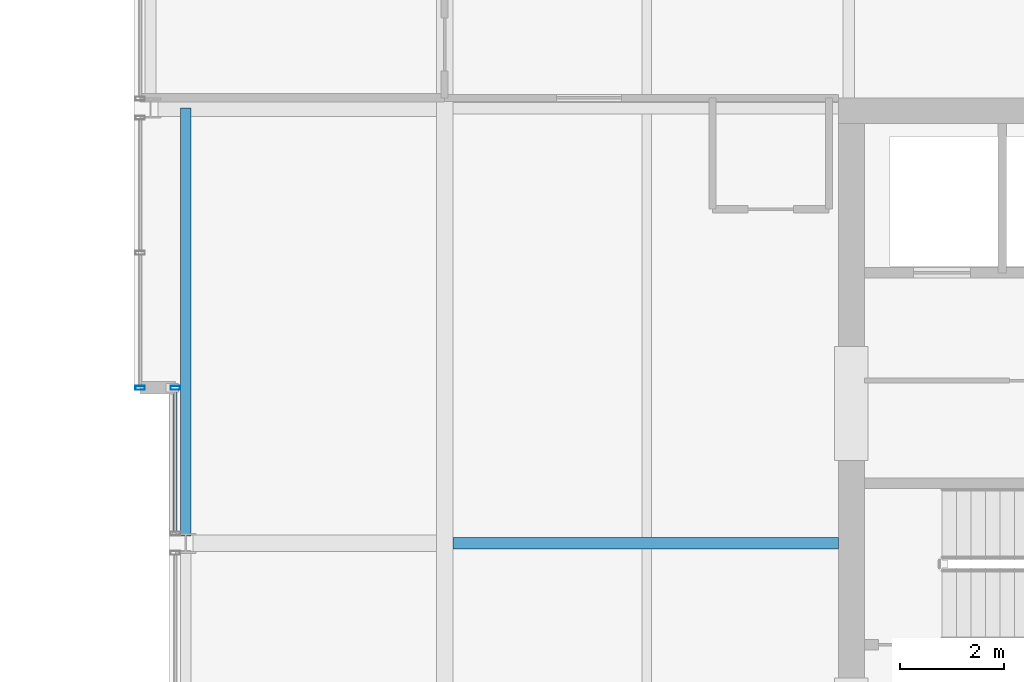
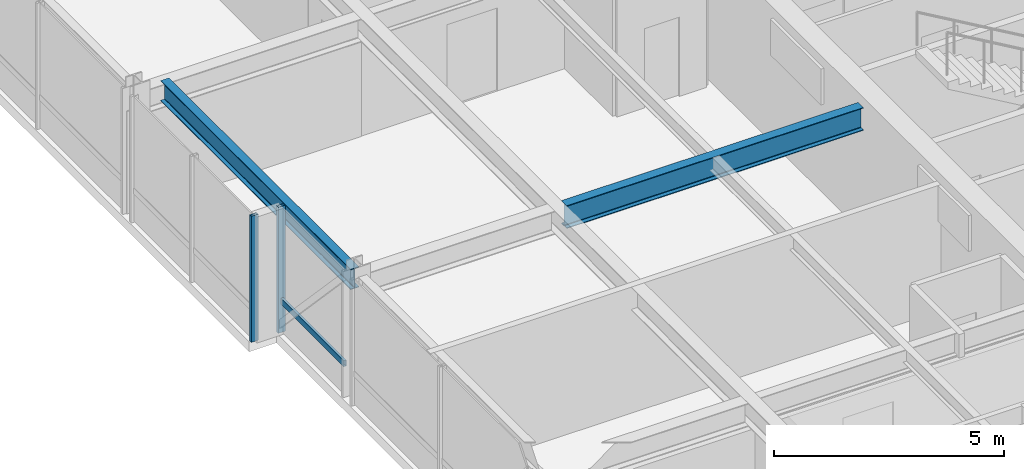
# One storey, part 10 of 32: 3 members, 2 beams, 2 elements without a shape of their own.
"""IFC4 building model written with IfcOpenShell, lengths in metres."""

import ifcopenshell
import ifcopenshell.guid

model = None  # the IFC model being written
_history = None  # IfcOwnerHistory: only IFC2X3 demands one
_inside = {}  # id of a spatial element -> (the spatial element, [elements in it])
_under = {}  # id of a project, library or spatial element -> (it, [spatial elements below it])
_declared = {}  # id of a project -> (the project, [libraries it declares])
_typed = {}  # id of a type object -> (the type object, [elements of that type])
_made_of = {}  # id of a material, layer set ... -> (it, [elements and type objects made of it])


def new_model(schema):
    """Start an empty IFC model of exactly this schema.

    Asked for "IFC4X3", IfcOpenShell would pick the latest addendum, in which some entities
    have other attributes; the version numbers below select the first issue.
    IFC2X3 requires an IfcOwnerHistory on every rooted entity: one is made here for all.
    """
    global model, _history
    if schema == "IFC4X3":
        model = ifcopenshell.file(schema_version=(4, 3, 0, 0))
    else:
        model = ifcopenshell.file(schema=schema)
    _inside.clear()
    _under.clear()
    _declared.clear()
    _typed.clear()
    _made_of.clear()
    _history = None
    if model.schema == "IFC2X3":
        org = make("IfcOrganization", Name="unknown")
        user = make(
            "IfcPersonAndOrganization",
            ThePerson=make("IfcPerson", FamilyName="unknown"),
            TheOrganization=org,
        )
        app = make(
            "IfcApplication",
            ApplicationDeveloper=org,
            Version="unknown",
            ApplicationFullName="unknown",
            ApplicationIdentifier="unknown",
        )
        _history = make(
            "IfcOwnerHistory",
            OwningUser=user,
            OwningApplication=app,
            ChangeAction="ADDED",
            CreationDate=0,
        )
    return model


def make(cls, **values):
    """One entity of the class cls with the attributes given. An attribute that is None is left unset."""
    return model.create_entity(
        cls, **{name: value for name, value in values.items() if value is not None}
    )


def rooted(cls, **values):
    """An entity with a GlobalId (a new one), such as an element, a storey or a relation."""
    return make(cls, GlobalId=ifcopenshell.guid.new(), OwnerHistory=_history, **values)


def si_unit(unit_type, name, prefix=None):
    """IfcSIUnit, for example si_unit("LENGTHUNIT", "METRE", prefix="MILLI")."""
    return make("IfcSIUnit", UnitType=unit_type, Prefix=prefix, Name=name)


def assignment(units):
    """IfcUnitAssignment: the units of a project."""
    return None if units is None else make("IfcUnitAssignment", Units=units)


def point(xyz):
    """IfcCartesianPoint."""
    return None if xyz is None else make("IfcCartesianPoint", Coordinates=xyz)


def direction(xyz):
    """IfcDirection."""
    return None if xyz is None else make("IfcDirection", DirectionRatios=xyz)


def frame(location, z_axis=None, x_axis=None):
    """IfcAxis2Placement3D, a coordinate frame: its origin and axes. An axis left out is left unset."""
    return make(
        "IfcAxis2Placement3D",
        Location=point(location),
        Axis=direction(z_axis),
        RefDirection=direction(x_axis),
    )


def frame_2d(location, x_axis=None):
    """IfcAxis2Placement2D, a coordinate frame in the plane: its origin and x axis."""
    return make(
        "IfcAxis2Placement2D", Location=point(location), RefDirection=direction(x_axis)
    )


def origin():
    """The frame at (0, 0, 0) with its axes left unset."""
    return frame((0.0, 0.0, 0.0))


def origin_2d():
    """The frame at (0, 0) in the plane with its x axis left unset."""
    return frame_2d((0.0, 0.0))


def place(relative_to, where):
    """IfcLocalPlacement: puts the frame where relative to a parent placement (None: the world)."""
    return make(
        "IfcLocalPlacement", PlacementRelTo=relative_to, RelativePlacement=where
    )


def context(
    kind, dimensions, precision=None, world=None, true_north=None, identifier=None
):
    """IfcGeometricRepresentationContext, for example the 3D "Model" context."""
    return make(
        "IfcGeometricRepresentationContext",
        ContextIdentifier=identifier,
        ContextType=kind,
        CoordinateSpaceDimension=dimensions,
        Precision=precision,
        WorldCoordinateSystem=world,
        TrueNorth=true_north,
    )


def subcontext(parent, identifier, kind, view, scale=None):
    """IfcGeometricRepresentationSubContext, for example "Body" below "Model"."""
    return make(
        "IfcGeometricRepresentationSubContext",
        ContextIdentifier=identifier,
        ContextType=kind,
        ParentContext=parent,
        TargetScale=scale,
        TargetView=view,
    )


def project(units=None, contexts=None):
    """IfcProject with its units and contexts."""
    return rooted(
        "IfcProject",
        Name="project",
        RepresentationContexts=contexts,
        UnitsInContext=assignment(units),
    )


def spatial(cls, under=None, at=None, **own):
    """A site, building, storey or space (cls), placed at a placement, below another one or the project."""
    s = rooted(cls, ObjectPlacement=at, **own)
    if under is not None:
        _under.setdefault(under.id(), (under, []))[1].append(s)
    return s


def profile(cls, at=None, kind="AREA", **sizes):
    """A parametric profile (cls). Its sizes go by their IFC names, for example OverallWidth=200.0."""
    return make(cls, ProfileType=kind, Position=at, **sizes)


def hollow_rectangle(**sizes):
    """IfcRectangleHollowProfileDef."""
    return profile("IfcRectangleHollowProfileDef", **sizes)


def i_section(**sizes):
    """IfcIShapeProfileDef."""
    return profile("IfcIShapeProfileDef", **sizes)


def extrude(swept, where, along, depth):
    """IfcExtrudedAreaSolid: the profile swept, set in the frame where, extruded along a direction by depth."""
    return make(
        "IfcExtrudedAreaSolid",
        SweptArea=swept,
        Position=where,
        ExtrudedDirection=direction(along),
        Depth=depth,
    )


def shape(context_of_items, identifier, shape_type, items):
    """IfcShapeRepresentation: the items that make up one representation, for example the "Body"."""
    return make(
        "IfcShapeRepresentation",
        ContextOfItems=context_of_items,
        RepresentationIdentifier=identifier,
        RepresentationType=shape_type,
        Items=items,
    )


def material(Name=None, Category=None):
    """IfcMaterial."""
    return make("IfcMaterial", Name=Name, Category=Category)


def layer(
    of_material, thickness, ventilated=None, Name=None, Category=None, Priority=None
):
    """IfcMaterialLayer: one layer of a wall or slab, of a material (None: an air gap)."""
    return make(
        "IfcMaterialLayer",
        Material=of_material,
        LayerThickness=thickness,
        IsVentilated=ventilated,
        Name=Name,
        Category=Category,
        Priority=Priority,
    )


def layer_set(layers, Name=None):
    """IfcMaterialLayerSet."""
    return make("IfcMaterialLayerSet", MaterialLayers=layers, LayerSetName=Name)


def material_profile(
    of_material, cross_section, Name=None, Category=None, Priority=None
):
    """IfcMaterialProfile: a cross section and its material."""
    return make(
        "IfcMaterialProfile",
        Name=Name,
        Material=of_material,
        Profile=cross_section,
        Priority=Priority,
        Category=Category,
    )


def profile_set(profiles, Name=None, composite=None):
    """IfcMaterialProfileSet."""
    return make(
        "IfcMaterialProfileSet",
        Name=Name,
        MaterialProfiles=profiles,
        CompositeProfile=composite,
    )


def made_of(thing, what):
    """Note that an element or type object is made of a material, layer set ...; save() writes the relation."""
    if what is not None:
        _made_of.setdefault(what.id(), (what, []))[1].append(thing)
    return thing


def type_object(cls, material=None, **own):
    """A type object (cls), such as IfcWallType, which elements share."""
    return made_of(rooted(cls, **own), material)


def element(
    cls,
    number,
    at=None,
    inside=None,
    cuts=None,
    type_object=None,
    material=None,
    context=None,
    identifier="Body",
    shape_type=None,
    held_by="IfcProductDefinitionShape",
    body=None,
    shapes=None,
    **own,
):
    """One element of the class cls, such as IfcWall. Its Tag is "e" and its number.

    at: its placement. inside: the storey or other place that contains it. cuts: it is an
    opening in that element (IfcRelVoidsElement). A single representation is given by context,
    identifier, shape_type and body (its items); several are given by shapes. held_by: the class
    of the entity that holds the representations. save() writes the other relations.
    """
    e = rooted(cls, Tag="e%d" % number, ObjectPlacement=at, **own)
    if body is not None:
        shapes = [shape(context, identifier, shape_type, body)]
    if shapes is not None:
        e.Representation = make(held_by, Representations=shapes)
    if inside is not None:
        _inside.setdefault(inside.id(), (inside, []))[1].append(e)
    if cuts is not None:
        rooted(
            "IfcRelVoidsElement", RelatingBuildingElement=cuts, RelatedOpeningElement=e
        )
    if type_object is not None:
        _typed.setdefault(type_object.id(), (type_object, []))[1].append(e)
    return made_of(e, material)


def aggregate(whole, parts):
    """IfcRelAggregates: a whole, such as a stair, and the parts it consists of."""
    return rooted("IfcRelAggregates", RelatingObject=whole, RelatedObjects=parts)


def save(model, path):
    """Write the relations noted so far, then the file.

    IfcRelAggregates (storeys below a building ...), IfcRelContainedInSpatialStructure (elements
    in a storey), IfcRelDefinesByType, IfcRelAssociatesMaterial and IfcRelDeclares: one each for
    every whole, place, type object, material and project.
    """
    for whole, parts in _under.values():
        aggregate(whole, parts)
    for where, things in _inside.values():
        rooted(
            "IfcRelContainedInSpatialStructure",
            RelatedElements=things,
            RelatingStructure=where,
        )
    for kind, things in _typed.values():
        rooted("IfcRelDefinesByType", RelatedObjects=things, RelatingType=kind)
    for what, things in _made_of.values():
        rooted("IfcRelAssociatesMaterial", RelatedObjects=things, RelatingMaterial=what)
    for by, libraries in _declared.values():
        rooted("IfcRelDeclares", RelatingContext=by, RelatedDefinitions=libraries)
    model.write(path)


model = new_model("IFC4")

# Units and contexts
model_context = context("Model", 3, precision=1e-05, world=origin(), true_north=direction((0.0, 1.0)))
body_context = subcontext(model_context, "Body", "Model", "MODEL_VIEW")
ifc_project = project(units=[si_unit("LENGTHUNIT", "METRE"), si_unit("AREAUNIT", "SQUARE_METRE"), si_unit("VOLUMEUNIT", "CUBIC_METRE"), si_unit("PLANEANGLEUNIT", "RADIAN"), si_unit("MASSUNIT", "GRAM", prefix="KILO")], contexts=[model_context])

# Site, building, storey
site_placement = place(None, origin())
site = spatial("IfcSite", under=ifc_project, at=site_placement, CompositionType="ELEMENT")
building_placement = place(site_placement, origin())
building = spatial("IfcBuilding", under=site, at=building_placement, Name="Drelvath Grand Hotel", CompositionType="ELEMENT")
storey_placement = place(building_placement, frame((0.0, 0.0, 226.699951171875)))
storey = spatial("IfcBuildingStorey", under=building, at=storey_placement, Name="L59", CompositionType="ELEMENT", Elevation=226.699951171875)

# Curtain wall, members
ifc_material_1 = material(Name="Platinum-Mist Anodised Aluminium Frame", Category="aluminium")
ifc_layer = layer(ifc_material_1, 0.199951171875)
ifc_layer_set = layer_set([ifc_layer], Name="Platinum-Mist Anodised Aluminium Frame")
curtain_wall_type = type_object("IfcCurtainWallType", Name="Stick Curtain Wall CW-05 Platinum Mist High-Rise", PredefinedType="NOTDEFINED", material=ifc_layer_set)
curtain_wall_1_placement = place(storey_placement, origin())
curtain_wall_1 = element("IfcCurtainWall", 1, at=curtain_wall_1_placement, inside=storey, type_object=curtain_wall_type, Name="L59 CW-05 Curtain Wall CW05-L59-WM2", PredefinedType="NOTDEFINED")
ifc_material_profile_1 = material_profile(ifc_material_1, hollow_rectangle(XDim=0.06494140625, YDim=0.159912109375, WallThickness=0.00390625, at=origin_2d()), Name="HSS160X65X4")
ifc_profile_set_1 = profile_set([ifc_material_profile_1], Name="Platinum-Mist Anodised Aluminium Frame")
member_type_1 = type_object("IfcMemberType", Name="Curtain Wall Horizontal Transom CW-05 HSS160X65X4", PredefinedType="USERDEFINED", material=ifc_profile_set_1)
member_1_placement = place(storey_placement, frame((-21.39990234375, 27.225341796875, 0.8349609375), z_axis=(0.0, 1.0, 0.0), x_axis=(-1.0, 0.0, 0.0)))
member_1 = element("IfcMember", 2, at=member_1_placement, type_object=member_type_1, Name="CW05-L59-WM2 Sill Transom", ObjectType="TRANSOM", PredefinedType="USERDEFINED", context=body_context, shape_type="SweptSolid", body=[
    extrude(hollow_rectangle(XDim=0.06494140625, YDim=0.159912109375, WallThickness=0.00390625, at=origin_2d()), origin(), (0.0, 0.0, 1.0), 2.734619140625),
])
ifc_material_profile_2 = material_profile(ifc_material_1, hollow_rectangle(XDim=0.074951171875, YDim=0.179931640625, WallThickness=0.0048828125, at=origin_2d()), Name="HSS180X75X5")
ifc_profile_set_2 = profile_set([ifc_material_profile_2], Name="Platinum-Mist Anodised Aluminium Frame")
member_type_2 = type_object("IfcMemberType", Name="Curtain Wall Vertical Mullion CW-05 HSS180X75X5", PredefinedType="MULLION", material=ifc_profile_set_2)
member_2_placement = place(storey_placement, frame((-21.39990234375, 30.0, 0.0), z_axis=(0.0, 0.0, 1.0), x_axis=(0.0, 1.0, 0.0)))
member_2 = element("IfcMember", 3, at=member_2_placement, type_object=member_type_2, Name="CW05-L59-WM2 Mullion 2", PredefinedType="MULLION", context=body_context, shape_type="SweptSolid", body=[
    extrude(hollow_rectangle(XDim=0.074951171875, YDim=0.179931640625, WallThickness=0.0048828125, at=origin_2d()), origin(), (0.0, 0.0, 1.0), 3.340087890625),
])
aggregate(curtain_wall_1, [member_2, member_1])

# Curtain wall, member
curtain_wall_2_placement = place(storey_placement, origin())
curtain_wall_2 = element("IfcCurtainWall", 4, at=curtain_wall_2_placement, inside=storey, type_object=curtain_wall_type, Name="L59 CW-05 Curtain Wall CW05-L59-WN1", PredefinedType="NOTDEFINED")
member_3_placement = place(storey_placement, frame((-22.080078125, 30.0, 0.0), z_axis=(0.0, 0.0, 1.0), x_axis=(0.0, 1.0, 0.0)))
member_3 = element("IfcMember", 5, at=member_3_placement, type_object=member_type_2, Name="CW05-L59-WN1 Mullion 1", PredefinedType="MULLION", context=body_context, shape_type="SweptSolid", body=[
    extrude(hollow_rectangle(XDim=0.074951171875, YDim=0.179931640625, WallThickness=0.0048828125, at=origin_2d()), origin(), (0.0, 0.0, 1.0), 3.340087890625),
])
aggregate(curtain_wall_2, [member_3])

# Beams
ifc_material_2 = material(Name="Steel ASTM A992 Gr 50", Category="steel")
ifc_material_profile_3 = material_profile(ifc_material_2, i_section(OverallWidth=0.210205078125, OverallDepth=0.53662109375, WebThickness=0.010986328125, FlangeThickness=0.017333984375, FilletRadius=0.01806640625, at=origin_2d()), Name="W21X68")
ifc_profile_set_3 = profile_set([ifc_material_profile_3], Name="Steel ASTM A992 Gr 50")
beam_type_1 = type_object("IfcBeamType", Name="Perimeter Spandrel Beam W21X68", PredefinedType="SPANDREL", material=ifc_profile_set_3)
beam_1_placement = place(storey_placement, frame((-21.199951171875, 27.139892578125, 3.071533203125), z_axis=(0.0, 1.0, 0.0), x_axis=(-1.0, 0.0, 0.0)))
element("IfcBeam", 6, at=beam_1_placement, inside=storey, type_object=beam_type_1, Name="L59 Spandrel West Mid N", PredefinedType="SPANDREL", context=body_context, shape_type="SweptSolid", body=[
    extrude(i_section(OverallWidth=0.210205078125, OverallDepth=0.53662109375, WebThickness=0.010986328125, FlangeThickness=0.017333984375, FilletRadius=0.01806640625, at=origin_2d()), origin(), (0.0, 0.0, 1.0), 8.260009765625),
])
ifc_material_profile_4 = material_profile(ifc_material_2, i_section(OverallWidth=0.228271484375, OverallDepth=0.607666015625, WebThickness=0.01123046875, FlangeThickness=0.017333984375, FilletRadius=0.02001953125, at=origin_2d()), Name="W24X76")
ifc_profile_set_4 = profile_set([ifc_material_profile_4], Name="Steel ASTM A992 Gr 50")
beam_type_2 = type_object("IfcBeamType", Name="Primary Floor Girder W24X76", PredefinedType="BEAM", material=ifc_profile_set_4)
beam_2_placement = place(storey_placement, frame((-16.0380859375, 27.0, 3.0361328125), z_axis=(1.0, 0.0, 0.0), x_axis=(0.0, 1.0, 0.0)))
element("IfcBeam", 7, at=beam_2_placement, inside=storey, type_object=beam_type_2, Name="L59 West Core Tie E", PredefinedType="BEAM", context=body_context, shape_type="SweptSolid", body=[
    extrude(i_section(OverallWidth=0.228271484375, OverallDepth=0.607666015625, WebThickness=0.01123046875, FlangeThickness=0.017333984375, FilletRadius=0.02001953125, at=origin_2d()), origin(), (0.0, 0.0, 1.0), 7.43798828125),
])

save(model, "model.ifc")
